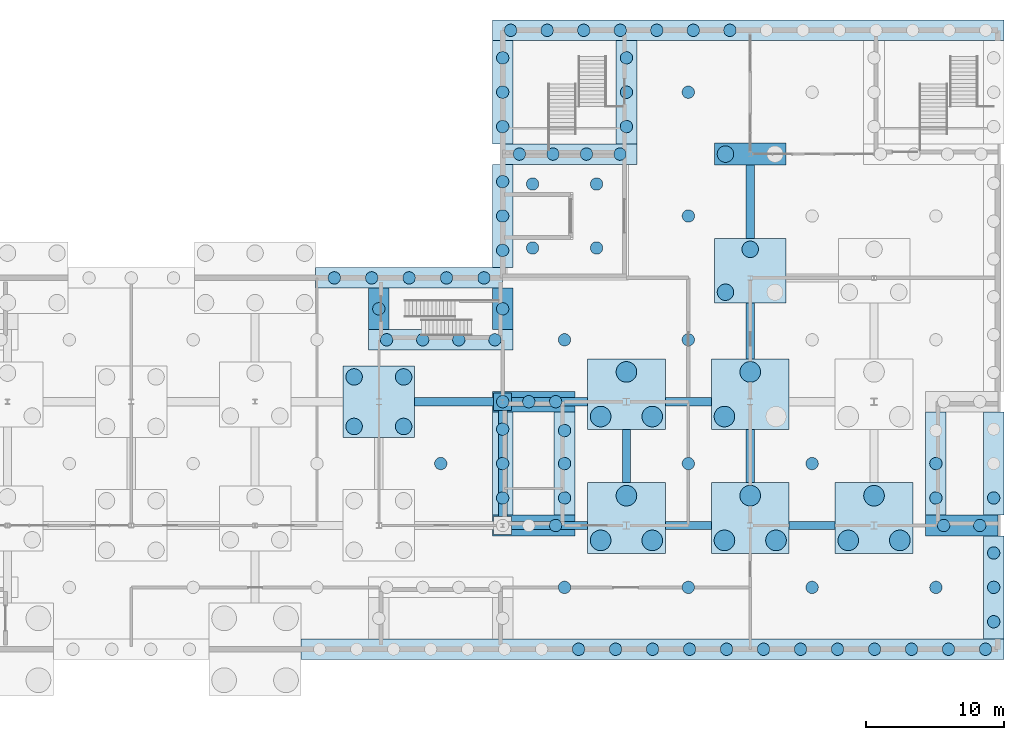
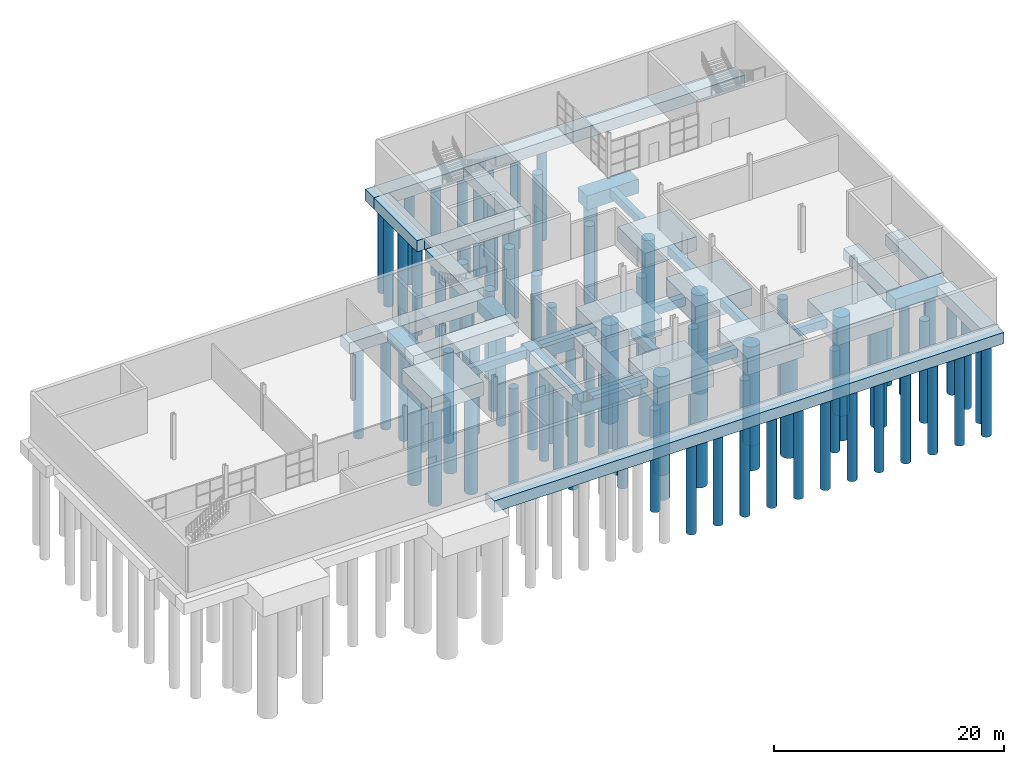
# One storey, part 2 of 17: 97 piles, 38 footings.
"""IFC4 building model written with IfcOpenShell, lengths in metres."""

from ifc_helpers import new_model, si_unit, direction, frame, origin, origin_2d, place, context, subcontext, project, spatial, polyline, circle, outline, extrude, material, material_profile, profile_set, type_object, element, save


model = new_model("IFC4")

# Units and contexts
model_context = context("Model", 3, precision=1e-05, world=origin(), true_north=direction((0.0, 1.0)))
body_context = subcontext(model_context, "Body", "Model", "MODEL_VIEW")
ifc_project = project(units=[si_unit("LENGTHUNIT", "METRE"), si_unit("AREAUNIT", "SQUARE_METRE"), si_unit("VOLUMEUNIT", "CUBIC_METRE"), si_unit("PLANEANGLEUNIT", "RADIAN"), si_unit("MASSUNIT", "GRAM", prefix="KILO")], contexts=[model_context])

# Site, building, storey
site_placement = place(None, origin())
site = spatial("IfcSite", under=ifc_project, at=site_placement, CompositionType="ELEMENT")
building_placement = place(site_placement, origin())
building = spatial("IfcBuilding", under=site, at=building_placement, Name="Halyard Row Museum", CompositionType="ELEMENT")
storey_placement = place(building_placement, frame((0.0, 0.0, -9.60009765625)))
storey = spatial("IfcBuildingStorey", under=building, at=storey_placement, Name="B2", CompositionType="ELEMENT", Elevation=-9.60009765625)

# Piles
ifc_material_1 = material(Name="Concrete 40 MPa", Category="concrete")
ifc_material_profile_1 = material_profile(ifc_material_1, circle(Radius=0.60009765625, at=origin_2d()), Name="Bored pile 1200 x 10.3")
ifc_profile_set_1 = profile_set([ifc_material_profile_1], Name="Concrete 40 MPa")
pile_type_1 = type_object("IfcPileType", Name="Bored pile 1200 x 10.3", PredefinedType="BORED", material=ifc_profile_set_1)
for number, where, z_axis, x_axis, name in (
    (1, (61.199951171875, 34.199951171875, -2.099853515625), (0.0, 0.0, -1.0), (1.0, 0.0, 0.0), "pile:B2:8E:1"),
    (2, (64.800048828125, 34.199951171875, -2.099853515625), (0.0, 0.0, -1.0), (1.0, 0.0, 0.0), "pile:B2:8E:2"),
    (3, (61.199951171875, 37.800048828125, -2.099853515625), (0.0, 0.0, -1.0), (1.0, 0.0, 0.0), "pile:B2:8E:3"),
    (4, (64.800048828125, 37.800048828125, -2.099853515625), (0.0, 0.0, -1.0), (1.0, 0.0, 0.0), "pile:B2:8E:4"),
    (5, (88.199951171875, 43.960693359375, -2.099853515625), (0.0, 0.0, -1.0), (1.0, 0.0, 0.0), "pile:B2:11F:1"),
    (6, (90.0, 47.078369140625, -2.099853515625), (0.0, 0.0, -1.0), (1.0, 0.0, 0.0), "pile:B2:11F:3"),
    (7, (88.199951171875, 54.0, -2.099853515625), (0.0, 0.0, -1.0), (1.0, 0.0, 0.0), "pile:B2:11G:1"),
):
    element("IfcPile", number, at=place(storey_placement, frame(where, z_axis=z_axis, x_axis=x_axis)), inside=storey, type_object=pile_type_1, Name=name, PredefinedType="BORED", context=body_context, shape_type="SweptSolid", body=[
        extrude(circle(Radius=0.60009765625, at=origin_2d()), origin(), (0.0, 0.0, 1.0), 10.300048828125),
    ])
ifc_material_2 = material(Name="Concrete 40 MPa", Category="concrete")
ifc_material_profile_2 = material_profile(ifc_material_2, circle(Radius=0.75, at=origin_2d()), Name="Bored pile 1500 x 10.5")
ifc_profile_set_2 = profile_set([ifc_material_profile_2], Name="Concrete 40 MPa")
pile_type_2 = type_object("IfcPileType", Name="Bored pile 1500 x 10.5", PredefinedType="BORED", material=ifc_profile_set_2)
for number, where, z_axis, x_axis, name in (
    (8, (79.125, 25.91748046875, -2.39990234375), (0.0, 0.0, -1.0), (1.0, 0.0, 0.0), "pile:B2:10D:1"),
    (9, (82.875, 25.91748046875, -2.39990234375), (0.0, 0.0, -1.0), (1.0, 0.0, 0.0), "pile:B2:10D:2"),
    (10, (81.0, 29.1650390625, -2.39990234375), (0.0, 0.0, -1.0), (1.0, 0.0, 0.0), "pile:B2:10D:3"),
    (11, (88.125, 25.91748046875, -2.39990234375), (0.0, 0.0, -1.0), (1.0, 0.0, 0.0), "pile:B2:11D:1"),
    (12, (91.875, 25.91748046875, -2.39990234375), (0.0, 0.0, -1.0), (1.0, 0.0, 0.0), "pile:B2:11D:2"),
    (13, (90.0, 29.1650390625, -2.39990234375), (0.0, 0.0, -1.0), (1.0, 0.0, 0.0), "pile:B2:11D:3"),
    (14, (97.125, 25.91748046875, -2.39990234375), (0.0, 0.0, -1.0), (1.0, 0.0, 0.0), "pile:B2:12D:1"),
    (15, (100.875, 25.91748046875, -2.39990234375), (0.0, 0.0, -1.0), (1.0, 0.0, 0.0), "pile:B2:12D:2"),
    (16, (99.0, 29.1650390625, -2.39990234375), (0.0, 0.0, -1.0), (1.0, 0.0, 0.0), "pile:B2:12D:3"),
    (17, (79.125, 34.91748046875, -2.39990234375), (0.0, 0.0, -1.0), (1.0, 0.0, 0.0), "pile:B2:10E:1"),
    (18, (82.875, 34.91748046875, -2.39990234375), (0.0, 0.0, -1.0), (1.0, 0.0, 0.0), "pile:B2:10E:2"),
    (19, (81.0, 38.1650390625, -2.39990234375), (0.0, 0.0, -1.0), (1.0, 0.0, 0.0), "pile:B2:10E:3"),
    (20, (88.125, 34.91748046875, -2.39990234375), (0.0, 0.0, -1.0), (1.0, 0.0, 0.0), "pile:B2:11E:1"),
    (21, (90.0, 38.1650390625, -2.39990234375), (0.0, 0.0, -1.0), (1.0, 0.0, 0.0), "pile:B2:11E:3"),
):
    element("IfcPile", number, at=place(storey_placement, frame(where, z_axis=z_axis, x_axis=x_axis)), inside=storey, type_object=pile_type_2, Name=name, PredefinedType="BORED", context=body_context, shape_type="SweptSolid", body=[
        extrude(circle(Radius=0.75, at=origin_2d()), origin(), (0.0, 0.0, 1.0), 10.5),
    ])
ifc_material_3 = material(Name="Concrete 40 MPa", Category="concrete")
ifc_material_profile_3 = material_profile(ifc_material_3, circle(Radius=0.449951171875, at=origin_2d()), Name="Bored pile 900 x 10.8")
ifc_profile_set_3 = profile_set([ifc_material_profile_3], Name="Concrete 40 MPa")
pile_type_3 = type_object("IfcPileType", Name="Bored pile 900 x 10.8", PredefinedType="BORED", material=ifc_profile_set_3)
for number, where, z_axis, x_axis, name in (
    (22, (76.5, 22.5, -0.599853515625), (0.0, 0.0, -1.0), (1.0, 0.0, 0.0), "pile:B2:ten04"),
    (23, (85.5, 22.5, -0.599853515625), (0.0, 0.0, -1.0), (1.0, 0.0, 0.0), "pile:B2:ten05"),
    (24, (94.5, 22.5, -0.599853515625), (0.0, 0.0, -1.0), (1.0, 0.0, 0.0), "pile:B2:ten06"),
    (25, (103.5, 22.5, -0.599853515625), (0.0, 0.0, -1.0), (1.0, 0.0, 0.0), "pile:B2:ten07"),
    (26, (67.5, 31.5, -0.599853515625), (0.0, 0.0, -1.0), (1.0, 0.0, 0.0), "pile:B2:ten12"),
    (27, (85.5, 31.5, -0.599853515625), (0.0, 0.0, -1.0), (1.0, 0.0, 0.0), "pile:B2:ten13"),
    (28, (94.5, 31.5, -0.599853515625), (0.0, 0.0, -1.0), (1.0, 0.0, 0.0), "pile:B2:ten14"),
    (29, (76.5, 40.5, -0.599853515625), (0.0, 0.0, -1.0), (1.0, 0.0, 0.0), "pile:B2:ten18"),
    (30, (85.5, 40.5, -0.599853515625), (0.0, 0.0, -1.0), (1.0, 0.0, 0.0), "pile:B2:ten19"),
    (31, (85.5, 49.5, -0.599853515625), (0.0, 0.0, -1.0), (1.0, 0.0, 0.0), "pile:B2:ten22"),
    (32, (85.5, 58.5, -0.599853515625), (0.0, 0.0, -1.0), (1.0, 0.0, 0.0), "pile:B2:ten25"),
):
    element("IfcPile", number, at=place(storey_placement, frame(where, z_axis=z_axis, x_axis=x_axis)), inside=storey, type_object=pile_type_3, Name=name, PredefinedType="BORED", context=body_context, shape_type="SweptSolid", body=[
        extrude(circle(Radius=0.449951171875, at=origin_2d()), origin(), (0.0, 0.0, 1.0), 10.800048828125),
    ])
ifc_material_4 = material(Name="Concrete 40 MPa", Category="concrete")
ifc_material_profile_4 = material_profile(ifc_material_4, circle(Radius=0.449951171875, at=origin_2d()), Name="Bored pile 900 x 9.3")
ifc_profile_set_4 = profile_set([ifc_material_profile_4], Name="Concrete 40 MPa")
pile_type_4 = type_object("IfcPileType", Name="Bored pile 900 x 9.3", PredefinedType="BORED", material=ifc_profile_set_4)
for number, where, z_axis, x_axis, name in (
    (33, (74.175048828125, 47.175048828125, -2.099853515625), (0.0, 0.0, -1.0), (1.0, 0.0, 0.0), "pile:B2:pit01:1"),
    (34, (74.175048828125, 51.824951171875, -2.099853515625), (0.0, 0.0, -1.0), (1.0, 0.0, 0.0), "pile:B2:pit01:2"),
    (35, (78.824951171875, 47.175048828125, -2.099853515625), (0.0, 0.0, -1.0), (1.0, 0.0, 0.0), "pile:B2:pit01:3"),
    (36, (78.824951171875, 51.824951171875, -2.099853515625), (0.0, 0.0, -1.0), (1.0, 0.0, 0.0), "pile:B2:pit01:4"),
):
    element("IfcPile", number, at=place(storey_placement, frame(where, z_axis=z_axis, x_axis=x_axis)), inside=storey, type_object=pile_type_4, Name=name, PredefinedType="BORED", context=body_context, shape_type="SweptSolid", body=[
        extrude(circle(Radius=0.449951171875, at=origin_2d()), origin(), (0.0, 0.0, 1.0), 9.300048828125),
    ])
ifc_material_5 = material(Name="Concrete 40 MPa", Category="concrete")
ifc_material_profile_5 = material_profile(ifc_material_5, circle(Radius=0.449951171875, at=origin_2d()), Name="Bored pile 900 x 9.6")
ifc_profile_set_5 = profile_set([ifc_material_profile_5], Name="Concrete 40 MPa")
pile_type_5 = type_object("IfcPileType", Name="Bored pile 900 x 9.6", PredefinedType="BORED", material=ifc_profile_set_5)
for number, where, z_axis, x_axis, name in (
    (37, (72.0, 36.0, -1.7998046875), (0.0, 0.0, -1.0), (1.0, 0.0, 0.0), "pile:B2:9E:1"),
    (38, (63.0, 42.75, -1.7998046875), (0.0, 0.0, -1.0), (1.0, 0.0, 0.0), "pile:B2:06:1"),
    (39, (72.0, 29.0, -1.7998046875), (0.0, 0.0, -1.0), (1.0, 0.0, 0.0), "pile:B2:08:1"),
    (40, (72.0, 31.5, -1.7998046875), (0.0, 0.0, -1.0), (1.0, 0.0, 0.0), "pile:B2:08:2"),
    (41, (72.0, 34.0, -1.7998046875), (0.0, 0.0, -1.0), (1.0, 0.0, 0.0), "pile:B2:08:3"),
    (42, (72.0, 42.75, -1.7998046875), (0.0, 0.0, -1.0), (1.0, 0.0, 0.0), "pile:B2:09:1"),
    (43, (72.0, 47.0, -1.7998046875), (0.0, 0.0, -1.0), (1.0, 0.0, 0.0), "pile:B2:10:1"),
    (44, (72.0, 49.5, -1.7998046875), (0.0, 0.0, -1.0), (1.0, 0.0, 0.0), "pile:B2:10:2"),
    (45, (72.0, 52.0, -1.7998046875), (0.0, 0.0, -1.0), (1.0, 0.0, 0.0), "pile:B2:10:3"),
    (46, (72.0, 56.0, -1.7998046875), (0.0, 0.0, -1.0), (1.0, 0.0, 0.0), "pile:B2:11:1"),
    (47, (72.0, 58.5, -1.7998046875), (0.0, 0.0, -1.0), (1.0, 0.0, 0.0), "pile:B2:11:2"),
    (48, (72.0, 61.0, -1.7998046875), (0.0, 0.0, -1.0), (1.0, 0.0, 0.0), "pile:B2:11:3"),
    (49, (76.5, 29.0, -1.7998046875), (0.0, 0.0, -1.0), (1.0, 0.0, 0.0), "pile:B2:12:1"),
    (50, (76.5, 31.5, -1.7998046875), (0.0, 0.0, -1.0), (1.0, 0.0, 0.0), "pile:B2:12:2"),
    (51, (76.5, 33.89990234375, -1.7998046875), (0.0, 0.0, -1.0), (1.0, 0.0, 0.0), "pile:B2:12:3"),
    (52, (81.0, 56.0, -1.7998046875), (0.0, 0.0, -1.0), (1.0, 0.0, 0.0), "pile:B2:13:1"),
    (53, (81.0, 58.5, -1.7998046875), (0.0, 0.0, -1.0), (1.0, 0.0, 0.0), "pile:B2:13:2"),
    (54, (81.0, 61.0, -1.7998046875), (0.0, 0.0, -1.0), (1.0, 0.0, 0.0), "pile:B2:13:3"),
    (55, (103.5, 29.0, -1.7998046875), (0.0, 0.0, -1.0), (1.0, 0.0, 0.0), "pile:B2:15:1"),
    (56, (103.5, 31.5, -1.7998046875), (0.0, 0.0, -1.0), (1.0, 0.0, 0.0), "pile:B2:15:2"),
    (57, (107.699951171875, 20.0, -1.7998046875), (0.0, 0.0, -1.0), (1.0, 0.0, 0.0), "pile:B2:16:1"),
    (58, (107.699951171875, 22.5, -1.7998046875), (0.0, 0.0, -1.0), (1.0, 0.0, 0.0), "pile:B2:16:2"),
    (59, (107.699951171875, 25.0, -1.7998046875), (0.0, 0.0, -1.0), (1.0, 0.0, 0.0), "pile:B2:16:3"),
    (60, (107.699951171875, 29.0, -1.7998046875), (0.0, 0.0, -1.0), (1.0, 0.0, 0.0), "pile:B2:17:1"),
    (61, (77.52099609375, 18.0, -1.7998046875), (0.0, 0.0, -1.0), (1.0, 0.0, 0.0), "pile:B2:22:8"),
    (62, (80.21044921875, 18.0, -1.7998046875), (0.0, 0.0, -1.0), (1.0, 0.0, 0.0), "pile:B2:22:9"),
    (63, (82.89990234375, 18.0, -1.7998046875), (0.0, 0.0, -1.0), (1.0, 0.0, 0.0), "pile:B2:22:10"),
    (64, (85.58935546875, 18.0, -1.7998046875), (0.0, 0.0, -1.0), (1.0, 0.0, 0.0), "pile:B2:22:11"),
    (65, (88.279052734375, 18.0, -1.7998046875), (0.0, 0.0, -1.0), (1.0, 0.0, 0.0), "pile:B2:22:12"),
    (66, (90.968505859375, 18.0, -1.7998046875), (0.0, 0.0, -1.0), (1.0, 0.0, 0.0), "pile:B2:22:13"),
    (67, (93.657958984375, 18.0, -1.7998046875), (0.0, 0.0, -1.0), (1.0, 0.0, 0.0), "pile:B2:22:14"),
    (68, (96.347412109375, 18.0, -1.7998046875), (0.0, 0.0, -1.0), (1.0, 0.0, 0.0), "pile:B2:22:15"),
    (69, (99.036865234375, 18.0, -1.7998046875), (0.0, 0.0, -1.0), (1.0, 0.0, 0.0), "pile:B2:22:16"),
    (70, (101.726318359375, 18.0, -1.7998046875), (0.0, 0.0, -1.0), (1.0, 0.0, 0.0), "pile:B2:22:17"),
    (71, (104.415771484375, 18.0, -1.7998046875), (0.0, 0.0, -1.0), (1.0, 0.0, 0.0), "pile:B2:22:18"),
    (72, (107.105224609375, 18.0, -1.7998046875), (0.0, 0.0, -1.0), (1.0, 0.0, 0.0), "pile:B2:22:19"),
    (73, (75.85009765625, 27.0, -1.7998046875), (0.0, 0.0, -1.0), (1.0, 0.0, 0.0), "pile:B2:25:2"),
    (74, (104.0625, 27.0, -1.7998046875), (0.0, 0.0, -1.0), (1.0, 0.0, 0.0), "pile:B2:26:1"),
    (75, (106.6875, 27.0, -1.7998046875), (0.0, 0.0, -1.0), (1.0, 0.0, 0.0), "pile:B2:26:2"),
    (76, (73.89990234375, 36.0, -1.7998046875), (0.0, 0.0, -1.0), (1.0, 0.0, 0.0), "pile:B2:27:1"),
    (77, (75.85009765625, 36.0, -1.7998046875), (0.0, 0.0, -1.0), (1.0, 0.0, 0.0), "pile:B2:27:2"),
    (78, (63.5625, 40.5, -1.7998046875), (0.0, 0.0, -1.0), (1.0, 0.0, 0.0), "pile:B2:30:1"),
    (79, (66.1875, 40.5, -1.7998046875), (0.0, 0.0, -1.0), (1.0, 0.0, 0.0), "pile:B2:30:2"),
    (80, (68.8125, 40.5, -1.7998046875), (0.0, 0.0, -1.0), (1.0, 0.0, 0.0), "pile:B2:30:3"),
    (81, (71.4375, 40.5, -1.7998046875), (0.0, 0.0, -1.0), (1.0, 0.0, 0.0), "pile:B2:30:4"),
    (82, (59.760009765625, 45.0, -1.7998046875), (0.0, 0.0, -1.0), (1.0, 0.0, 0.0), "pile:B2:33:1"),
    (83, (62.47998046875, 45.0, -1.7998046875), (0.0, 0.0, -1.0), (1.0, 0.0, 0.0), "pile:B2:33:2"),
    (84, (65.199951171875, 45.0, -1.7998046875), (0.0, 0.0, -1.0), (1.0, 0.0, 0.0), "pile:B2:33:3"),
    (85, (67.919921875, 45.0, -1.7998046875), (0.0, 0.0, -1.0), (1.0, 0.0, 0.0), "pile:B2:33:4"),
    (86, (70.639892578125, 45.0, -1.7998046875), (0.0, 0.0, -1.0), (1.0, 0.0, 0.0), "pile:B2:33:5"),
    (87, (73.21875, 54.0, -1.7998046875), (0.0, 0.0, -1.0), (1.0, 0.0, 0.0), "pile:B2:34:1"),
    (88, (75.65625, 54.0, -1.7998046875), (0.0, 0.0, -1.0), (1.0, 0.0, 0.0), "pile:B2:34:2"),
    (89, (78.09375, 54.0, -1.7998046875), (0.0, 0.0, -1.0), (1.0, 0.0, 0.0), "pile:B2:34:3"),
    (90, (80.53125, 54.0, -1.7998046875), (0.0, 0.0, -1.0), (1.0, 0.0, 0.0), "pile:B2:34:4"),
    (91, (72.57861328125, 63.0, -1.7998046875), (0.0, 0.0, -1.0), (1.0, 0.0, 0.0), "pile:B2:36:1"),
    (92, (75.235595703125, 63.0, -1.7998046875), (0.0, 0.0, -1.0), (1.0, 0.0, 0.0), "pile:B2:36:2"),
    (93, (77.892822265625, 63.0, -1.7998046875), (0.0, 0.0, -1.0), (1.0, 0.0, 0.0), "pile:B2:36:3"),
    (94, (80.550048828125, 63.0, -1.7998046875), (0.0, 0.0, -1.0), (1.0, 0.0, 0.0), "pile:B2:36:4"),
    (95, (83.20703125, 63.0, -1.7998046875), (0.0, 0.0, -1.0), (1.0, 0.0, 0.0), "pile:B2:36:5"),
    (96, (85.8642578125, 63.0, -1.7998046875), (0.0, 0.0, -1.0), (1.0, 0.0, 0.0), "pile:B2:36:6"),
    (97, (88.521484375, 63.0, -1.7998046875), (0.0, 0.0, -1.0), (1.0, 0.0, 0.0), "pile:B2:36:7"),
):
    element("IfcPile", number, at=place(storey_placement, frame(where, z_axis=z_axis, x_axis=x_axis)), inside=storey, type_object=pile_type_5, Name=name, PredefinedType="BORED", context=body_context, shape_type="SweptSolid", body=[
        extrude(circle(Radius=0.449951171875, at=origin_2d()), origin(), (0.0, 0.0, 1.0), 9.60009765625),
    ])

# Footings
ifc_material_6 = material(Name="Concrete 40 MPa", Category="concrete")
footing_type_1 = type_object("IfcFootingType", Name="Ground beam", PredefinedType="FOOTING_BEAM", material=ifc_material_6)
footing_1_placement = place(storey_placement, frame((0.0, 0.0, -1.5)))
element("IfcFooting", 98, at=footing_1_placement, inside=storey, type_object=footing_type_1, Name="Ground beam B2-011", PredefinedType="FOOTING_BEAM", context=body_context, shape_type="SweptSolid", body=[
    extrude(outline(polyline([(71.699951171875, 27.64990234375), (72.300048828125, 27.64990234375), (72.300048828125, 35.35009765625), (71.699951171875, 35.35009765625), (71.699951171875, 27.64990234375)])), origin(), (0.0, 0.0, 1.0), 0.900146484375),
])
footing_2_placement = place(storey_placement, frame((0.0, 0.0, -1.5)))
element("IfcFooting", 99, at=footing_2_placement, inside=storey, type_object=footing_type_1, Name="Ground beam B2-012", PredefinedType="FOOTING_BEAM", context=body_context, shape_type="SweptSolid", body=[
    extrude(outline(polyline([(72.64990234375, 26.699951171875), (78.175048828125, 26.699951171875), (78.175048828125, 27.300048828125), (72.64990234375, 27.300048828125), (72.64990234375, 26.699951171875)])), origin(), (0.0, 0.0, 1.0), 0.900146484375),
])
footing_3_placement = place(storey_placement, frame((0.0, 0.0, -1.5)))
element("IfcFooting", 100, at=footing_3_placement, inside=storey, type_object=footing_type_1, Name="Ground beam B2-013", PredefinedType="FOOTING_BEAM", context=body_context, shape_type="SweptSolid", body=[
    extrude(outline(polyline([(80.699951171875, 30.114990234375), (81.300048828125, 30.114990234375), (81.300048828125, 33.967529296875), (80.699951171875, 33.967529296875), (80.699951171875, 30.114990234375)])), origin(), (0.0, 0.0, 1.0), 0.900146484375),
])
footing_4_placement = place(storey_placement, frame((0.0, 0.0, -1.5)))
element("IfcFooting", 101, at=footing_4_placement, inside=storey, type_object=footing_type_1, Name="Ground beam B2-014", PredefinedType="FOOTING_BEAM", context=body_context, shape_type="SweptSolid", body=[
    extrude(outline(polyline([(83.824951171875, 26.699951171875), (87.175048828125, 26.699951171875), (87.175048828125, 27.300048828125), (83.824951171875, 27.300048828125), (83.824951171875, 26.699951171875)])), origin(), (0.0, 0.0, 1.0), 0.900146484375),
])
footing_5_placement = place(storey_placement, frame((0.0, 0.0, -1.5)))
element("IfcFooting", 102, at=footing_5_placement, inside=storey, type_object=footing_type_1, Name="Ground beam B2-015", PredefinedType="FOOTING_BEAM", context=body_context, shape_type="SweptSolid", body=[
    extrude(outline(polyline([(89.699951171875, 30.114990234375), (90.300048828125, 30.114990234375), (90.300048828125, 33.967529296875), (89.699951171875, 33.967529296875), (89.699951171875, 30.114990234375)])), origin(), (0.0, 0.0, 1.0), 0.900146484375),
])
footing_6_placement = place(storey_placement, frame((0.0, 0.0, -1.5)))
element("IfcFooting", 103, at=footing_6_placement, inside=storey, type_object=footing_type_1, Name="Ground beam B2-016", PredefinedType="FOOTING_BEAM", context=body_context, shape_type="SweptSolid", body=[
    extrude(outline(polyline([(92.824951171875, 26.699951171875), (96.175048828125, 26.699951171875), (96.175048828125, 27.300048828125), (92.824951171875, 27.300048828125), (92.824951171875, 26.699951171875)])), origin(), (0.0, 0.0, 1.0), 0.900146484375),
])
footing_7_placement = place(storey_placement, frame((0.0, 0.0, -1.5)))
element("IfcFooting", 104, at=footing_7_placement, inside=storey, type_object=footing_type_1, Name="Ground beam B2-023", PredefinedType="FOOTING_BEAM", context=body_context, shape_type="SweptSolid", body=[
    extrude(outline(polyline([(65.60009765625, 35.699951171875), (71.35009765625, 35.699951171875), (71.35009765625, 36.300048828125), (65.60009765625, 36.300048828125), (65.60009765625, 35.699951171875)])), origin(), (0.0, 0.0, 1.0), 0.900146484375),
])
footing_8_placement = place(storey_placement, frame((0.0, 0.0, -1.5)))
element("IfcFooting", 105, at=footing_8_placement, inside=storey, type_object=footing_type_1, Name="Ground beam B2-024", PredefinedType="FOOTING_BEAM", context=body_context, shape_type="SweptSolid", body=[
    extrude(outline(polyline([(72.64990234375, 35.699951171875), (78.175048828125, 35.699951171875), (78.175048828125, 36.300048828125), (72.64990234375, 36.300048828125), (72.64990234375, 35.699951171875)])), origin(), (0.0, 0.0, 1.0), 0.900146484375),
])
footing_9_placement = place(storey_placement, frame((0.0, 0.0, -1.5)))
element("IfcFooting", 106, at=footing_9_placement, inside=storey, type_object=footing_type_1, Name="Ground beam B2-025", PredefinedType="FOOTING_BEAM", context=body_context, shape_type="SweptSolid", body=[
    extrude(outline(polyline([(83.824951171875, 35.699951171875), (87.175048828125, 35.699951171875), (87.175048828125, 36.300048828125), (83.824951171875, 36.300048828125), (83.824951171875, 35.699951171875)])), origin(), (0.0, 0.0, 1.0), 0.900146484375),
])
footing_10_placement = place(storey_placement, frame((0.0, 0.0, -1.5)))
element("IfcFooting", 107, at=footing_10_placement, inside=storey, type_object=footing_type_1, Name="Ground beam B2-026", PredefinedType="FOOTING_BEAM", context=body_context, shape_type="SweptSolid", body=[
    extrude(outline(polyline([(89.699951171875, 39.114990234375), (90.300048828125, 39.114990234375), (90.300048828125, 43.160888671875), (89.699951171875, 43.160888671875), (89.699951171875, 39.114990234375)])), origin(), (0.0, 0.0, 1.0), 0.900146484375),
])
footing_11_placement = place(storey_placement, frame((0.0, 0.0, -1.5)))
element("IfcFooting", 108, at=footing_11_placement, inside=storey, type_object=footing_type_1, Name="Ground beam B2-029", PredefinedType="FOOTING_BEAM", context=body_context, shape_type="SweptSolid", body=[
    extrude(outline(polyline([(89.699951171875, 47.87841796875), (90.300048828125, 47.87841796875), (90.300048828125, 53.199951171875), (89.699951171875, 53.199951171875), (89.699951171875, 47.87841796875)])), origin(), (0.0, 0.0, 1.0), 0.900146484375),
])
ifc_material_7 = material(Name="Concrete 40 MPa", Category="concrete")
footing_type_2 = type_object("IfcFootingType", Name="Pile cap 1 piles 900", PredefinedType="PILE_CAP", material=ifc_material_7)
footing_12_placement = place(storey_placement, frame((0.0, 0.0, -1.7998046875)))
element("IfcFooting", 109, at=footing_12_placement, inside=storey, type_object=footing_type_2, Name="Pile cap 9E B2", PredefinedType="PILE_CAP", context=body_context, shape_type="SweptSolid", body=[
    extrude(outline(polyline([(71.35009765625, 35.35009765625), (72.64990234375, 35.35009765625), (72.64990234375, 36.64990234375), (71.35009765625, 36.64990234375), (71.35009765625, 35.35009765625)])), origin(), (0.0, 0.0, 1.0), 1.199951171875),
])
ifc_material_8 = material(Name="Concrete 40 MPa", Category="concrete")
footing_type_3 = type_object("IfcFootingType", Name="Pile cap 2 piles 1200", PredefinedType="PILE_CAP", material=ifc_material_8)
footing_13_placement = place(storey_placement, frame((0.0, 0.0, -2.099853515625)))
element("IfcFooting", 110, at=footing_13_placement, inside=storey, type_object=footing_type_3, Name="Pile cap 11G B2", PredefinedType="PILE_CAP", context=body_context, shape_type="SweptSolid", body=[
    extrude(outline(polyline([(87.39990234375, 53.199951171875), (92.60009765625, 53.199951171875), (92.60009765625, 54.800048828125), (87.39990234375, 54.800048828125), (87.39990234375, 53.199951171875)])), origin(), (0.0, 0.0, 1.0), 1.5),
])
ifc_material_9 = material(Name="Concrete 40 MPa", Category="concrete")
footing_type_4 = type_object("IfcFootingType", Name="Pile cap 3 piles 1200", PredefinedType="PILE_CAP", material=ifc_material_9)
footing_14_placement = place(storey_placement, frame((0.0, 0.0, -2.099853515625)))
element("IfcFooting", 111, at=footing_14_placement, inside=storey, type_object=footing_type_4, Name="Pile cap 11F B2", PredefinedType="PILE_CAP", context=body_context, shape_type="SweptSolid", body=[
    extrude(outline(polyline([(87.39990234375, 43.160888671875), (92.60009765625, 43.160888671875), (92.60009765625, 47.87841796875), (87.39990234375, 47.87841796875), (87.39990234375, 43.160888671875)])), origin(), (0.0, 0.0, 1.0), 1.5),
])
ifc_material_10 = material(Name="Concrete 40 MPa", Category="concrete")
footing_type_5 = type_object("IfcFootingType", Name="Pile cap 3 piles 1500", PredefinedType="PILE_CAP", material=ifc_material_10)
footing_15_placement = place(storey_placement, frame((0.0, 0.0, -2.39990234375)))
element("IfcFooting", 112, at=footing_15_placement, inside=storey, type_object=footing_type_5, Name="Pile cap 10D B2", PredefinedType="PILE_CAP", context=body_context, shape_type="SweptSolid", body=[
    extrude(outline(polyline([(78.175048828125, 24.967529296875), (83.824951171875, 24.967529296875), (83.824951171875, 30.114990234375), (78.175048828125, 30.114990234375), (78.175048828125, 24.967529296875)])), origin(), (0.0, 0.0, 1.0), 1.800048828125),
])
footing_16_placement = place(storey_placement, frame((0.0, 0.0, -2.39990234375)))
element("IfcFooting", 113, at=footing_16_placement, inside=storey, type_object=footing_type_5, Name="Pile cap 11D B2", PredefinedType="PILE_CAP", context=body_context, shape_type="SweptSolid", body=[
    extrude(outline(polyline([(87.175048828125, 24.967529296875), (92.824951171875, 24.967529296875), (92.824951171875, 30.114990234375), (87.175048828125, 30.114990234375), (87.175048828125, 24.967529296875)])), origin(), (0.0, 0.0, 1.0), 1.800048828125),
])
footing_17_placement = place(storey_placement, frame((0.0, 0.0, -2.39990234375)))
element("IfcFooting", 114, at=footing_17_placement, inside=storey, type_object=footing_type_5, Name="Pile cap 12D B2", PredefinedType="PILE_CAP", context=body_context, shape_type="SweptSolid", body=[
    extrude(outline(polyline([(96.175048828125, 24.967529296875), (101.824951171875, 24.967529296875), (101.824951171875, 30.114990234375), (96.175048828125, 30.114990234375), (96.175048828125, 24.967529296875)])), origin(), (0.0, 0.0, 1.0), 1.800048828125),
])
footing_18_placement = place(storey_placement, frame((0.0, 0.0, -2.39990234375)))
element("IfcFooting", 115, at=footing_18_placement, inside=storey, type_object=footing_type_5, Name="Pile cap 10E B2", PredefinedType="PILE_CAP", context=body_context, shape_type="SweptSolid", body=[
    extrude(outline(polyline([(78.175048828125, 33.967529296875), (83.824951171875, 33.967529296875), (83.824951171875, 39.114990234375), (78.175048828125, 39.114990234375), (78.175048828125, 33.967529296875)])), origin(), (0.0, 0.0, 1.0), 1.800048828125),
])
footing_19_placement = place(storey_placement, frame((0.0, 0.0, -2.39990234375)))
element("IfcFooting", 116, at=footing_19_placement, inside=storey, type_object=footing_type_5, Name="Pile cap 11E B2", PredefinedType="PILE_CAP", context=body_context, shape_type="SweptSolid", body=[
    extrude(outline(polyline([(87.175048828125, 33.967529296875), (92.824951171875, 33.967529296875), (92.824951171875, 39.114990234375), (87.175048828125, 39.114990234375), (87.175048828125, 33.967529296875)])), origin(), (0.0, 0.0, 1.0), 1.800048828125),
])
ifc_material_11 = material(Name="Concrete 40 MPa", Category="concrete")
footing_type_6 = type_object("IfcFootingType", Name="Pile cap 4 piles 1200", PredefinedType="PILE_CAP", material=ifc_material_11)
footing_20_placement = place(storey_placement, frame((0.0, 0.0, -2.099853515625)))
element("IfcFooting", 117, at=footing_20_placement, inside=storey, type_object=footing_type_6, Name="Pile cap 8E B2", PredefinedType="PILE_CAP", context=body_context, shape_type="SweptSolid", body=[
    extrude(outline(polyline([(60.39990234375, 33.39990234375), (65.60009765625, 33.39990234375), (65.60009765625, 38.60009765625), (60.39990234375, 38.60009765625), (60.39990234375, 33.39990234375)])), origin(), (0.0, 0.0, 1.0), 1.5),
])
ifc_material_12 = material(Name="Concrete 40 MPa", Category="concrete")
footing_type_7 = type_object("IfcFootingType", Name="Wall strip footing", PredefinedType="STRIP_FOOTING", material=ifc_material_12)
footing_21_placement = place(storey_placement, frame((0.0, 0.0, -1.7998046875)))
element("IfcFooting", 118, at=footing_21_placement, inside=storey, type_object=footing_type_7, Name="Wall strip footing B2-06", PredefinedType="STRIP_FOOTING", context=body_context, shape_type="SweptSolid", body=[
    extrude(outline(polyline([(62.25, 41.25), (63.75, 41.25), (63.75, 44.25), (62.25, 44.25), (62.25, 41.25)])), origin(), (0.0, 0.0, 1.0), 1.199951171875),
])
footing_22_placement = place(storey_placement, frame((0.0, 0.0, -1.7998046875)))
element("IfcFooting", 119, at=footing_22_placement, inside=storey, type_object=footing_type_7, Name="Wall strip footing B2-08", PredefinedType="STRIP_FOOTING", context=body_context, shape_type="SweptSolid", body=[
    extrude(outline(polyline([(71.25, 27.75), (72.75, 27.75), (72.75, 35.25), (71.25, 35.25), (71.25, 27.75)])), origin(), (0.0, 0.0, 1.0), 1.199951171875),
])
footing_23_placement = place(storey_placement, frame((0.0, 0.0, -1.7998046875)))
element("IfcFooting", 120, at=footing_23_placement, inside=storey, type_object=footing_type_7, Name="Wall strip footing B2-09", PredefinedType="STRIP_FOOTING", context=body_context, shape_type="SweptSolid", body=[
    extrude(outline(polyline([(71.25, 41.25), (72.75, 41.25), (72.75, 44.25), (71.25, 44.25), (71.25, 41.25)])), origin(), (0.0, 0.0, 1.0), 1.199951171875),
])
footing_24_placement = place(storey_placement, frame((0.0, 0.0, -1.7998046875)))
element("IfcFooting", 121, at=footing_24_placement, inside=storey, type_object=footing_type_7, Name="Wall strip footing B2-10", PredefinedType="STRIP_FOOTING", context=body_context, shape_type="SweptSolid", body=[
    extrude(outline(polyline([(71.25, 45.75), (72.75, 45.75), (72.75, 53.25), (71.25, 53.25), (71.25, 45.75)])), origin(), (0.0, 0.0, 1.0), 1.199951171875),
])
footing_25_placement = place(storey_placement, frame((0.0, 0.0, -1.7998046875)))
element("IfcFooting", 122, at=footing_25_placement, inside=storey, type_object=footing_type_7, Name="Wall strip footing B2-11", PredefinedType="STRIP_FOOTING", context=body_context, shape_type="SweptSolid", body=[
    extrude(outline(polyline([(71.25, 54.75), (72.75, 54.75), (72.75, 62.25), (71.25, 62.25), (71.25, 54.75)])), origin(), (0.0, 0.0, 1.0), 1.199951171875),
])
footing_26_placement = place(storey_placement, frame((0.0, 0.0, -1.7998046875)))
element("IfcFooting", 123, at=footing_26_placement, inside=storey, type_object=footing_type_7, Name="Wall strip footing B2-12", PredefinedType="STRIP_FOOTING", context=body_context, shape_type="SweptSolid", body=[
    extrude(outline(polyline([(75.75, 27.75), (77.25, 27.75), (77.25, 35.25), (75.75, 35.25), (75.75, 27.75)])), origin(), (0.0, 0.0, 1.0), 1.199951171875),
])
footing_27_placement = place(storey_placement, frame((0.0, 0.0, -1.7998046875)))
element("IfcFooting", 124, at=footing_27_placement, inside=storey, type_object=footing_type_7, Name="Wall strip footing B2-13", PredefinedType="STRIP_FOOTING", context=body_context, shape_type="SweptSolid", body=[
    extrude(outline(polyline([(80.25, 54.75), (81.75, 54.75), (81.75, 62.25), (80.25, 62.25), (80.25, 54.75)])), origin(), (0.0, 0.0, 1.0), 1.199951171875),
])
footing_28_placement = place(storey_placement, frame((0.0, 0.0, -1.7998046875)))
element("IfcFooting", 125, at=footing_28_placement, inside=storey, type_object=footing_type_7, Name="Wall strip footing B2-15", PredefinedType="STRIP_FOOTING", context=body_context, shape_type="SweptSolid", body=[
    extrude(outline(polyline([(102.75, 27.75), (104.25, 27.75), (104.25, 35.25), (102.75, 35.25), (102.75, 27.75)])), origin(), (0.0, 0.0, 1.0), 1.199951171875),
])
footing_29_placement = place(storey_placement, frame((0.0, 0.0, -1.7998046875)))
element("IfcFooting", 126, at=footing_29_placement, inside=storey, type_object=footing_type_7, Name="Wall strip footing B2-16", PredefinedType="STRIP_FOOTING", context=body_context, shape_type="SweptSolid", body=[
    extrude(outline(polyline([(106.949951171875, 18.75), (108.449951171875, 18.75), (108.449951171875, 26.25), (106.949951171875, 26.25), (106.949951171875, 18.75)])), origin(), (0.0, 0.0, 1.0), 1.199951171875),
])
footing_30_placement = place(storey_placement, frame((0.0, 0.0, -1.7998046875)))
element("IfcFooting", 127, at=footing_30_placement, inside=storey, type_object=footing_type_7, Name="Wall strip footing B2-17", PredefinedType="STRIP_FOOTING", context=body_context, shape_type="SweptSolid", body=[
    extrude(outline(polyline([(106.949951171875, 27.75), (108.449951171875, 27.75), (108.449951171875, 35.25), (106.949951171875, 35.25), (106.949951171875, 27.75)])), origin(), (0.0, 0.0, 1.0), 1.199951171875),
])
footing_31_placement = place(storey_placement, frame((0.0, 0.0, -1.7998046875)))
element("IfcFooting", 128, at=footing_31_placement, inside=storey, type_object=footing_type_7, Name="Wall strip footing B2-22", PredefinedType="STRIP_FOOTING", context=body_context, shape_type="SweptSolid", body=[
    extrude(outline(polyline([(108.449951171875, 18.75), (57.35009765625, 18.75), (57.35009765625, 17.25), (108.449951171875, 17.25), (108.449951171875, 18.75)])), origin(), (0.0, 0.0, 1.0), 1.199951171875),
])
footing_32_placement = place(storey_placement, frame((0.0, 0.0, -1.7998046875)))
element("IfcFooting", 129, at=footing_32_placement, inside=storey, type_object=footing_type_7, Name="Wall strip footing B2-25", PredefinedType="STRIP_FOOTING", context=body_context, shape_type="SweptSolid", body=[
    extrude(outline(polyline([(71.25, 26.25), (77.25, 26.25), (77.25, 27.75), (71.25, 27.75), (71.25, 26.25)]), holes=[polyline([(72.64990234375, 26.35009765625), (71.35009765625, 26.35009765625), (71.35009765625, 27.64990234375), (72.64990234375, 27.64990234375), (72.64990234375, 26.35009765625)])]), origin(), (0.0, 0.0, 1.0), 1.199951171875),
])
footing_33_placement = place(storey_placement, frame((0.0, 0.0, -1.7998046875)))
element("IfcFooting", 130, at=footing_33_placement, inside=storey, type_object=footing_type_7, Name="Wall strip footing B2-26", PredefinedType="STRIP_FOOTING", context=body_context, shape_type="SweptSolid", body=[
    extrude(outline(polyline([(102.75, 26.25), (108.0, 26.25), (108.0, 27.75), (102.75, 27.75), (102.75, 26.25)])), origin(), (0.0, 0.0, 1.0), 1.199951171875),
])
footing_34_placement = place(storey_placement, frame((0.0, 0.0, -1.7998046875)))
element("IfcFooting", 131, at=footing_34_placement, inside=storey, type_object=footing_type_7, Name="Wall strip footing B2-27", PredefinedType="STRIP_FOOTING", context=body_context, shape_type="SweptSolid", body=[
    extrude(outline(polyline([(71.25, 35.25), (77.25, 35.25), (77.25, 36.75), (71.25, 36.75), (71.25, 35.25)]), holes=[polyline([(72.64990234375, 35.35009765625), (71.35009765625, 35.35009765625), (71.35009765625, 36.64990234375), (72.64990234375, 36.64990234375), (72.64990234375, 35.35009765625)])]), origin(), (0.0, 0.0, 1.0), 1.199951171875),
])
footing_35_placement = place(storey_placement, frame((0.0, 0.0, -1.7998046875)))
element("IfcFooting", 132, at=footing_35_placement, inside=storey, type_object=footing_type_7, Name="Wall strip footing B2-30", PredefinedType="STRIP_FOOTING", context=body_context, shape_type="SweptSolid", body=[
    extrude(outline(polyline([(62.25, 39.75), (72.75, 39.75), (72.75, 41.25), (62.25, 41.25), (62.25, 39.75)])), origin(), (0.0, 0.0, 1.0), 1.199951171875),
])
footing_36_placement = place(storey_placement, frame((0.0, 0.0, -1.7998046875)))
element("IfcFooting", 133, at=footing_36_placement, inside=storey, type_object=footing_type_7, Name="Wall strip footing B2-33", PredefinedType="STRIP_FOOTING", context=body_context, shape_type="SweptSolid", body=[
    extrude(outline(polyline([(72.0, 45.75), (58.39990234375, 45.75), (58.39990234375, 44.25), (72.0, 44.25), (72.0, 45.75)])), origin(), (0.0, 0.0, 1.0), 1.199951171875),
])
footing_37_placement = place(storey_placement, frame((0.0, 0.0, -1.7998046875)))
element("IfcFooting", 134, at=footing_37_placement, inside=storey, type_object=footing_type_7, Name="Wall strip footing B2-34", PredefinedType="STRIP_FOOTING", context=body_context, shape_type="SweptSolid", body=[
    extrude(outline(polyline([(72.0, 53.25), (81.75, 53.25), (81.75, 54.75), (72.0, 54.75), (72.0, 53.25)])), origin(), (0.0, 0.0, 1.0), 1.199951171875),
])
footing_38_placement = place(storey_placement, frame((0.0, 0.0, -1.7998046875)))
element("IfcFooting", 135, at=footing_38_placement, inside=storey, type_object=footing_type_7, Name="Wall strip footing B2-36", PredefinedType="STRIP_FOOTING", context=body_context, shape_type="SweptSolid", body=[
    extrude(outline(polyline([(71.25, 62.25), (108.449951171875, 62.25), (108.449951171875, 63.75), (71.25, 63.75), (71.25, 62.25)])), origin(), (0.0, 0.0, 1.0), 1.199951171875),
])

save(model, "model.ifc")
